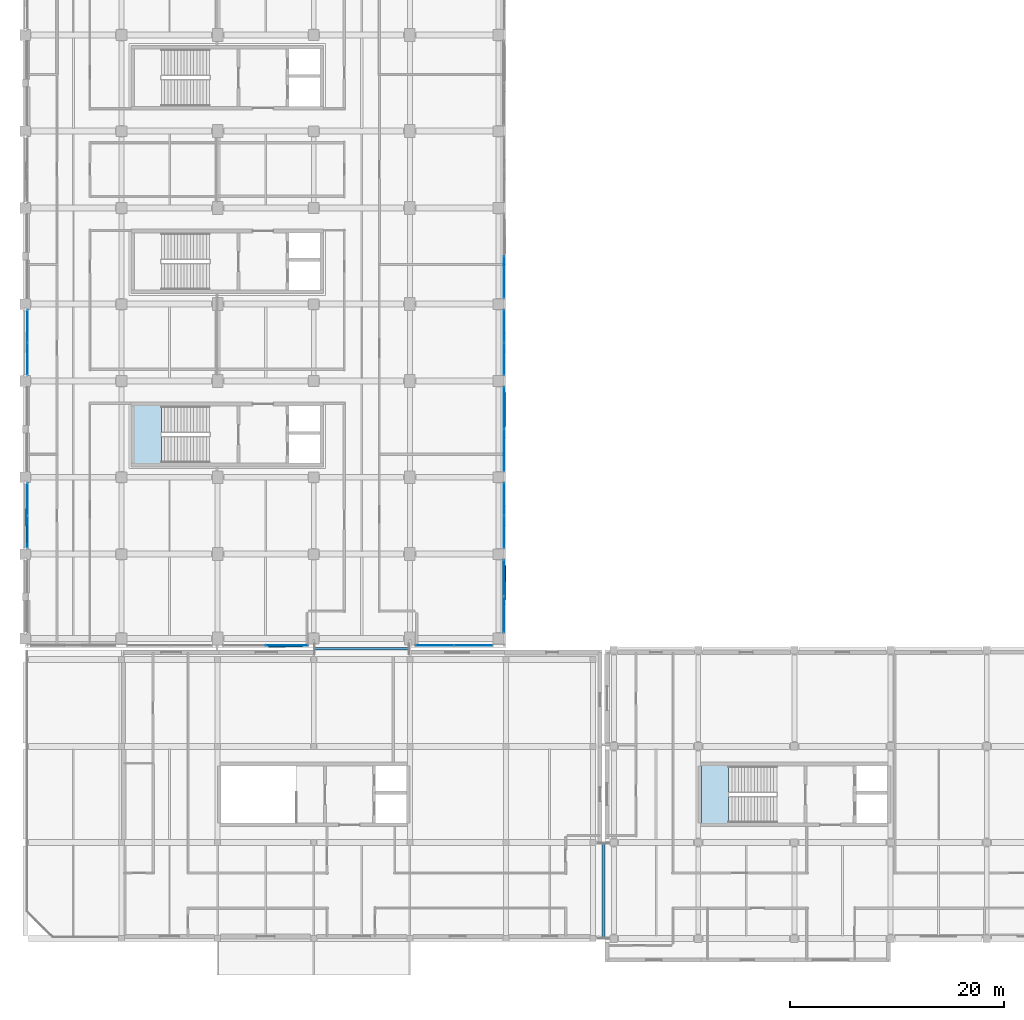
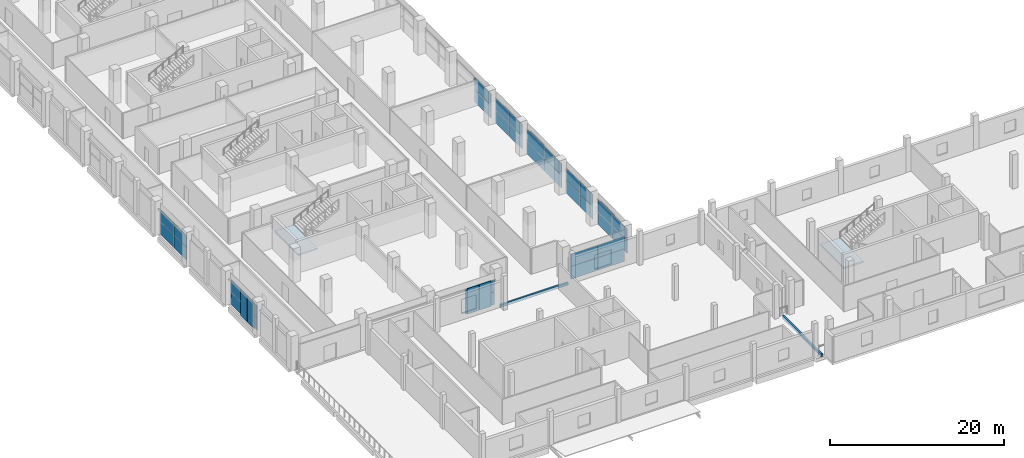
# One storey, part 53 of 111: 40 plates, 4 slabs, 11 elements without a shape of their own.
"""IFC4 building model written with IfcOpenShell, lengths in metres."""

from ifc_helpers import new_model, si_unit, direction, frame, origin, origin_2d, place, context, subcontext, project, spatial, polyline, rectangle, outline, extrude, material, layer, layer_set, type_object, element, aggregate, save


model = new_model("IFC4")

# Units and contexts
model_context = context("Model", 3, precision=1e-05, world=origin(), true_north=direction((0.0, 1.0)))
body_context = subcontext(model_context, "Body", "Model", "MODEL_VIEW")
ifc_project = project(units=[si_unit("LENGTHUNIT", "METRE"), si_unit("AREAUNIT", "SQUARE_METRE"), si_unit("VOLUMEUNIT", "CUBIC_METRE"), si_unit("PLANEANGLEUNIT", "RADIAN"), si_unit("MASSUNIT", "GRAM", prefix="KILO"), si_unit("THERMODYNAMICTEMPERATUREUNIT", "KELVIN"), si_unit("POWERUNIT", "WATT")], contexts=[model_context])

# Site, building, storey
site_placement = place(None, origin())
site = spatial("IfcSite", under=ifc_project, at=site_placement, CompositionType="ELEMENT")
building_placement = place(site_placement, origin())
building = spatial("IfcBuilding", under=site, at=building_placement, Name="Sindhuravela Promenade Stadium", CompositionType="ELEMENT")
storey_placement = place(building_placement, frame((0.0, 0.0, 9.60009765625)))
storey = spatial("IfcBuildingStorey", under=building, at=storey_placement, Name="L02", CompositionType="ELEMENT", Elevation=9.60009765625)

# Plates
ifc_material_1 = material(Name="Perforated terracotta celosia brick (15 MPa)", Category="masonry")
ifc_layer_1 = layer(ifc_material_1, 0.090087890625)
ifc_layer_set_1 = layer_set([ifc_layer_1], Name="Perforated terracotta celosia brick (15 MPa)")
plate_type_1 = type_object("IfcPlateType", Name="CL-SCR-01", PredefinedType="USERDEFINED", material=ifc_layer_set_1)
plate_1_placement = place(storey_placement, frame((44.8798828125, 41.544921875, -0.000244140625), z_axis=(0.0, 0.0, 1.0), x_axis=(0.0, -1.0, 0.0)))
element("IfcPlate", 1, at=plate_1_placement, inside=storey, type_object=plate_type_1, Name="Perforated brick celosia screen WEST L02-24", ObjectType="SCREEN PANEL", PredefinedType="USERDEFINED", context=body_context, shape_type="SweptSolid", body=[
    extrude(rectangle(XDim=1.56005859375, YDim=0.090087890625, at=origin_2d()), origin(), (0.0, 0.0, 1.0), 3.580078125),
])
ifc_layer_2 = layer(ifc_material_1, 0.114990234375)
ifc_layer_set_2 = layer_set([ifc_layer_2], Name="Perforated terracotta celosia brick (15 MPa)")
plate_type_2 = type_object("IfcPlateType", Name="CL-SCR-02", PredefinedType="USERDEFINED", material=ifc_layer_set_2)
for number, where, z_axis, x_axis, name in (
    (2, (0.1201171875, 46.85498046875, -0.000244140625), (0.0, 0.0, 1.0), (0.0, 1.0, 0.0), "Perforated brick celosia screen WEST L02-5"),
    (3, (44.8798828125, 59.344970703125, -0.000244140625), (0.0, 0.0, 1.0), (0.0, -1.0, 0.0), "Perforated brick celosia screen WEST L02-21"),
    (4, (25.14501953125, 36.3701171875, -0.000244140625), (0.0, 0.0, 1.0), (-1.0, 0.0, 0.0), "Perforated brick celosia screen WEST L02-25"),
):
    element("IfcPlate", number, at=place(storey_placement, frame(where, z_axis=z_axis, x_axis=x_axis)), inside=storey, type_object=plate_type_2, Name=name, ObjectType="SCREEN PANEL", PredefinedType="USERDEFINED", context=body_context, shape_type="SweptSolid", body=[
        extrude(rectangle(XDim=1.56005859375, YDim=0.114990234375, at=origin_2d()), origin(), (0.0, 0.0, 1.0), 3.580078125),
    ])
ifc_layer_3 = layer(ifc_material_1, 0.139892578125)
ifc_layer_set_3 = layer_set([ifc_layer_3], Name="Perforated terracotta celosia brick (15 MPa)")
plate_type_3 = type_object("IfcPlateType", Name="CL-SCR-03", PredefinedType="USERDEFINED", material=ifc_layer_set_3)
for number, where, z_axis, x_axis, name in (
    (5, (0.1201171875, 48.455078125, -0.000244140625), (0.0, 0.0, 1.0), (0.0, 1.0, 0.0), "Perforated brick celosia screen WEST L02-6"),
    (6, (44.8798828125, 57.7451171875, -0.000244140625), (0.0, 0.0, 1.0), (0.0, -1.0, 0.0), "Perforated brick celosia screen WEST L02-22"),
    (7, (23.544921875, 36.3701171875, -0.000244140625), (0.0, 0.0, 1.0), (-1.0, 0.0, 0.0), "Perforated brick celosia screen WEST L02-26"),
):
    element("IfcPlate", number, at=place(storey_placement, frame(where, z_axis=z_axis, x_axis=x_axis)), inside=storey, type_object=plate_type_3, Name=name, ObjectType="SCREEN PANEL", PredefinedType="USERDEFINED", context=body_context, shape_type="SweptSolid", body=[
        extrude(rectangle(XDim=1.56005859375, YDim=0.139892578125, at=origin_2d()), origin(), (0.0, 0.0, 1.0), 3.580078125),
    ])
ifc_layer_4 = layer(ifc_material_1, 0.1650390625)
ifc_layer_set_4 = layer_set([ifc_layer_4], Name="Perforated terracotta celosia brick (15 MPa)")
plate_type_4 = type_object("IfcPlateType", Name="CL-SCR-04", PredefinedType="USERDEFINED", material=ifc_layer_set_4)
plate_2_placement = place(storey_placement, frame((44.8798828125, 43.14501953125, -0.000244140625), z_axis=(0.0, 0.0, 1.0), x_axis=(0.0, -1.0, 0.0)))
element("IfcPlate", 8, at=plate_2_placement, inside=storey, type_object=plate_type_4, Name="Perforated brick celosia screen WEST L02-23", ObjectType="SCREEN PANEL", PredefinedType="USERDEFINED", context=body_context, shape_type="SweptSolid", body=[
    extrude(rectangle(XDim=1.56005859375, YDim=0.1650390625, at=origin_2d()), origin(), (0.0, 0.0, 1.0), 3.580078125),
])

# Curtain wall, plates
ifc_material_2 = material(Name="Anodised architectural aluminium 6063-T6", Category="aluminium")
curtain_wall_type_1 = type_object("IfcCurtainWallType", Name="CW-MOD-7", PredefinedType="NOTDEFINED", material=ifc_material_2)
curtain_wall_1_placement = place(storey_placement, origin())
curtain_wall_1 = element("IfcCurtainWall", 9, at=curtain_wall_1_placement, inside=storey, type_object=curtain_wall_type_1, Name="Bronze curtain wall CW-WEST-L02-006", PredefinedType="NOTDEFINED")
ifc_material_3 = material(Name="Tempered laminated low-E glass", Category="glass")
ifc_layer_5 = layer(ifc_material_3, 0.028076171875)
ifc_layer_set_5 = layer_set([ifc_layer_5], Name="Tempered laminated low-E glass")
plate_type_5 = type_object("IfcPlateType", Name="CW-PNL-01", PredefinedType="CURTAIN_PANEL", material=ifc_layer_set_5)
plate_3_placement = place(storey_placement, frame((0.199951171875, 47.074951171875, 0.01513671875), z_axis=(0.0, 0.0, 1.0), x_axis=(0.0, 1.0, 0.0)))
plate_3 = element("IfcPlate", 10, at=plate_3_placement, type_object=plate_type_5, Name="Glazed curtain panel CW-WEST-L02-006-P1.1", PredefinedType="CURTAIN_PANEL", context=body_context, shape_type="SweptSolid", body=[
    extrude(rectangle(XDim=2.989990234375, YDim=0.028076171875, at=origin_2d()), origin(), (0.0, 0.0, 1.0), 1.760009765625),
])
plate_4_placement = place(storey_placement, frame((0.199951171875, 47.074951171875, 1.80517578125), z_axis=(0.0, 0.0, 1.0), x_axis=(0.0, 1.0, 0.0)))
plate_4 = element("IfcPlate", 11, at=plate_4_placement, type_object=plate_type_5, Name="Glazed curtain panel CW-WEST-L02-006-P1.2", PredefinedType="CURTAIN_PANEL", context=body_context, shape_type="SweptSolid", body=[
    extrude(rectangle(XDim=2.989990234375, YDim=0.028076171875, at=origin_2d()), origin(), (0.0, 0.0, 1.0), 1.679931640625),
])
plate_5_placement = place(storey_placement, frame((0.199951171875, 50.125, 0.01513671875), z_axis=(0.0, 0.0, 1.0), x_axis=(0.0, 1.0, 0.0)))
plate_5 = element("IfcPlate", 12, at=plate_5_placement, type_object=plate_type_5, Name="Glazed curtain panel CW-WEST-L02-006-P2.1", PredefinedType="CURTAIN_PANEL", context=body_context, shape_type="SweptSolid", body=[
    extrude(rectangle(XDim=2.989990234375, YDim=0.028076171875, at=origin_2d()), origin(), (0.0, 0.0, 1.0), 1.760009765625),
])
plate_6_placement = place(storey_placement, frame((0.199951171875, 50.125, 1.80517578125), z_axis=(0.0, 0.0, 1.0), x_axis=(0.0, 1.0, 0.0)))
plate_6 = element("IfcPlate", 13, at=plate_6_placement, type_object=plate_type_5, Name="Glazed curtain panel CW-WEST-L02-006-P2.2", PredefinedType="CURTAIN_PANEL", context=body_context, shape_type="SweptSolid", body=[
    extrude(rectangle(XDim=2.989990234375, YDim=0.028076171875, at=origin_2d()), origin(), (0.0, 0.0, 1.0), 1.679931640625),
])
aggregate(curtain_wall_1, [plate_3, plate_4, plate_5, plate_6])

curtain_wall_type_2 = type_object("IfcCurtainWallType", Name="CW-MOD-5", PredefinedType="NOTDEFINED", material=ifc_material_2)
curtain_wall_2_placement = place(storey_placement, origin())
curtain_wall_2 = element("IfcCurtainWall", 14, at=curtain_wall_2_placement, inside=storey, type_object=curtain_wall_type_2, Name="Bronze curtain wall CW-WEST-L02-020", PredefinedType="NOTDEFINED")
plate_7_placement = place(storey_placement, frame((44.800048828125, 70.925048828125, 0.01513671875), z_axis=(0.0, 0.0, 1.0), x_axis=(0.0, -1.0, 0.0)))
plate_7 = element("IfcPlate", 15, at=plate_7_placement, type_object=plate_type_5, Name="Glazed curtain panel CW-WEST-L02-020-P2.1", PredefinedType="CURTAIN_PANEL", context=body_context, shape_type="SweptSolid", body=[
    extrude(rectangle(XDim=3.889892578125, YDim=0.028076171875, at=origin_2d()), origin(), (0.0, 0.0, 1.0), 1.760009765625),
])
plate_8_placement = place(storey_placement, frame((44.800048828125, 70.925048828125, 1.80517578125), z_axis=(0.0, 0.0, 1.0), x_axis=(0.0, -1.0, 0.0)))
plate_8 = element("IfcPlate", 16, at=plate_8_placement, type_object=plate_type_5, Name="Glazed curtain panel CW-WEST-L02-020-P2.2", PredefinedType="CURTAIN_PANEL", context=body_context, shape_type="SweptSolid", body=[
    extrude(rectangle(XDim=3.889892578125, YDim=0.028076171875, at=origin_2d()), origin(), (0.0, 0.0, 1.0), 1.679931640625),
])
aggregate(curtain_wall_2, [plate_7, plate_8])

curtain_wall_3_placement = place(storey_placement, origin())
curtain_wall_3 = element("IfcCurtainWall", 17, at=curtain_wall_3_placement, inside=storey, type_object=curtain_wall_type_1, Name="Bronze curtain wall CW-WEST-L02-022", PredefinedType="NOTDEFINED")
plate_9_placement = place(storey_placement, frame((44.800048828125, 58.675048828125, 0.01513671875), z_axis=(0.0, 0.0, 1.0), x_axis=(0.0, -1.0, 0.0)))
plate_9 = element("IfcPlate", 18, at=plate_9_placement, type_object=plate_type_5, Name="Glazed curtain panel CW-WEST-L02-022-P1.1", PredefinedType="CURTAIN_PANEL", context=body_context, shape_type="SweptSolid", body=[
    extrude(rectangle(XDim=3.889892578125, YDim=0.028076171875, at=origin_2d()), origin(), (0.0, 0.0, 1.0), 1.760009765625),
])
plate_10_placement = place(storey_placement, frame((44.800048828125, 58.675048828125, 1.80517578125), z_axis=(0.0, 0.0, 1.0), x_axis=(0.0, -1.0, 0.0)))
plate_10 = element("IfcPlate", 19, at=plate_10_placement, type_object=plate_type_5, Name="Glazed curtain panel CW-WEST-L02-022-P1.2", PredefinedType="CURTAIN_PANEL", context=body_context, shape_type="SweptSolid", body=[
    extrude(rectangle(XDim=3.889892578125, YDim=0.028076171875, at=origin_2d()), origin(), (0.0, 0.0, 1.0), 1.679931640625),
])
plate_11_placement = place(storey_placement, frame((44.800048828125, 54.72509765625, 0.01513671875), z_axis=(0.0, 0.0, 1.0), x_axis=(0.0, -1.0, 0.0)))
plate_11 = element("IfcPlate", 20, at=plate_11_placement, type_object=plate_type_5, Name="Glazed curtain panel CW-WEST-L02-022-P2.1", PredefinedType="CURTAIN_PANEL", context=body_context, shape_type="SweptSolid", body=[
    extrude(rectangle(XDim=3.889892578125, YDim=0.028076171875, at=origin_2d()), origin(), (0.0, 0.0, 1.0), 1.760009765625),
])
plate_12_placement = place(storey_placement, frame((44.800048828125, 54.72509765625, 1.80517578125), z_axis=(0.0, 0.0, 1.0), x_axis=(0.0, -1.0, 0.0)))
plate_12 = element("IfcPlate", 21, at=plate_12_placement, type_object=plate_type_5, Name="Glazed curtain panel CW-WEST-L02-022-P2.2", PredefinedType="CURTAIN_PANEL", context=body_context, shape_type="SweptSolid", body=[
    extrude(rectangle(XDim=3.889892578125, YDim=0.028076171875, at=origin_2d()), origin(), (0.0, 0.0, 1.0), 1.679931640625),
])
aggregate(curtain_wall_3, [plate_9, plate_10, plate_11, plate_12])

curtain_wall_type_3 = type_object("IfcCurtainWallType", Name="CW-MOD-1", PredefinedType="NOTDEFINED", material=ifc_material_2)
curtain_wall_4_placement = place(storey_placement, origin())
curtain_wall_4 = element("IfcCurtainWall", 22, at=curtain_wall_4_placement, inside=storey, type_object=curtain_wall_type_3, Name="Bronze curtain wall CW-WEST-L02-024", PredefinedType="NOTDEFINED")
plate_13_placement = place(storey_placement, frame((44.800048828125, 42.75, 0.01513671875), z_axis=(0.0, 0.0, 1.0), x_axis=(0.0, -1.0, 0.0)))
plate_13 = element("IfcPlate", 23, at=plate_13_placement, type_object=plate_type_5, Name="Glazed curtain panel CW-WEST-L02-024-P1.1", PredefinedType="CURTAIN_PANEL", context=body_context, shape_type="SweptSolid", body=[
    extrude(rectangle(XDim=3.340087890625, YDim=0.028076171875, at=origin_2d()), origin(), (0.0, 0.0, 1.0), 1.760009765625),
])
plate_14_placement = place(storey_placement, frame((44.800048828125, 42.75, 1.80517578125), z_axis=(0.0, 0.0, 1.0), x_axis=(0.0, -1.0, 0.0)))
plate_14 = element("IfcPlate", 24, at=plate_14_placement, type_object=plate_type_5, Name="Glazed curtain panel CW-WEST-L02-024-P1.2", PredefinedType="CURTAIN_PANEL", context=body_context, shape_type="SweptSolid", body=[
    extrude(rectangle(XDim=3.340087890625, YDim=0.028076171875, at=origin_2d()), origin(), (0.0, 0.0, 1.0), 1.679931640625),
])
plate_15_placement = place(storey_placement, frame((44.800048828125, 39.35009765625, 0.01513671875), z_axis=(0.0, 0.0, 1.0), x_axis=(0.0, -1.0, 0.0)))
plate_15 = element("IfcPlate", 25, at=plate_15_placement, type_object=plate_type_5, Name="Glazed curtain panel CW-WEST-L02-024-P2.1", PredefinedType="CURTAIN_PANEL", context=body_context, shape_type="SweptSolid", body=[
    extrude(rectangle(XDim=3.340087890625, YDim=0.028076171875, at=origin_2d()), origin(), (0.0, 0.0, 1.0), 1.760009765625),
])
plate_16_placement = place(storey_placement, frame((44.800048828125, 39.35009765625, 1.80517578125), z_axis=(0.0, 0.0, 1.0), x_axis=(0.0, -1.0, 0.0)))
plate_16 = element("IfcPlate", 26, at=plate_16_placement, type_object=plate_type_5, Name="Glazed curtain panel CW-WEST-L02-024-P2.2", PredefinedType="CURTAIN_PANEL", context=body_context, shape_type="SweptSolid", body=[
    extrude(rectangle(XDim=3.340087890625, YDim=0.028076171875, at=origin_2d()), origin(), (0.0, 0.0, 1.0), 1.679931640625),
])
aggregate(curtain_wall_4, [plate_13, plate_14, plate_15, plate_16])

curtain_wall_type_4 = type_object("IfcCurtainWallType", Name="CW-MOD-3", PredefinedType="NOTDEFINED", material=ifc_material_2)
curtain_wall_5_placement = place(storey_placement, origin())
curtain_wall_5 = element("IfcCurtainWall", 27, at=curtain_wall_5_placement, inside=storey, type_object=curtain_wall_type_4, Name="Bronze curtain wall CW-WEST-L02-026", PredefinedType="NOTDEFINED")
plate_17_placement = place(storey_placement, frame((24.47509765625, 36.449951171875, 0.01513671875), z_axis=(0.0, 0.0, 1.0), x_axis=(-1.0, 0.0, 0.0)))
plate_17 = element("IfcPlate", 28, at=plate_17_placement, type_object=plate_type_5, Name="Glazed curtain panel CW-WEST-L02-026-P1.1", PredefinedType="CURTAIN_PANEL", context=body_context, shape_type="SweptSolid", body=[
    extrude(rectangle(XDim=3.889892578125, YDim=0.028076171875, at=origin_2d()), origin(), (0.0, 0.0, 1.0), 1.760009765625),
])
plate_18_placement = place(storey_placement, frame((24.47509765625, 36.449951171875, 1.80517578125), z_axis=(0.0, 0.0, 1.0), x_axis=(-1.0, 0.0, 0.0)))
plate_18 = element("IfcPlate", 29, at=plate_18_placement, type_object=plate_type_5, Name="Glazed curtain panel CW-WEST-L02-026-P1.2", PredefinedType="CURTAIN_PANEL", context=body_context, shape_type="SweptSolid", body=[
    extrude(rectangle(XDim=3.889892578125, YDim=0.028076171875, at=origin_2d()), origin(), (0.0, 0.0, 1.0), 1.679931640625),
])
aggregate(curtain_wall_5, [plate_17, plate_18])

curtain_wall_type_5 = type_object("IfcCurtainWallType", Name="CW-MOD-8", PredefinedType="NOTDEFINED", material=ifc_material_2)
curtain_wall_6_placement = place(storey_placement, origin())
curtain_wall_6 = element("IfcCurtainWall", 30, at=curtain_wall_6_placement, inside=storey, type_object=curtain_wall_type_5, Name="Bronze curtain wall CW-WEST-L02-007", PredefinedType="NOTDEFINED")
ifc_layer_6 = layer(ifc_material_3, 0.0400390625)
ifc_layer_set_6 = layer_set([ifc_layer_6], Name="Tempered laminated low-E glass")
plate_type_6 = type_object("IfcPlateType", Name="CW-PNL-02", PredefinedType="CURTAIN_PANEL", material=ifc_layer_set_6)
plate_19_placement = place(storey_placement, frame((0.199951171875, 63.27490234375, 0.01513671875), z_axis=(0.0, 0.0, 1.0), x_axis=(0.0, 1.0, 0.0)))
plate_19 = element("IfcPlate", 31, at=plate_19_placement, type_object=plate_type_6, Name="Glazed curtain panel CW-WEST-L02-007-P1.1", PredefinedType="CURTAIN_PANEL", context=body_context, shape_type="SweptSolid", body=[
    extrude(rectangle(XDim=2.989990234375, YDim=0.0400390625, at=origin_2d()), origin(), (0.0, 0.0, 1.0), 1.760009765625),
])
plate_20_placement = place(storey_placement, frame((0.199951171875, 63.27490234375, 1.80517578125), z_axis=(0.0, 0.0, 1.0), x_axis=(0.0, 1.0, 0.0)))
plate_20 = element("IfcPlate", 32, at=plate_20_placement, type_object=plate_type_6, Name="Glazed curtain panel CW-WEST-L02-007-P1.2", PredefinedType="CURTAIN_PANEL", context=body_context, shape_type="SweptSolid", body=[
    extrude(rectangle(XDim=2.989990234375, YDim=0.0400390625, at=origin_2d()), origin(), (0.0, 0.0, 1.0), 1.679931640625),
])
plate_21_placement = place(storey_placement, frame((0.199951171875, 66.324951171875, 0.01513671875), z_axis=(0.0, 0.0, 1.0), x_axis=(0.0, 1.0, 0.0)))
plate_21 = element("IfcPlate", 33, at=plate_21_placement, type_object=plate_type_6, Name="Glazed curtain panel CW-WEST-L02-007-P2.1", PredefinedType="CURTAIN_PANEL", context=body_context, shape_type="SweptSolid", body=[
    extrude(rectangle(XDim=2.989990234375, YDim=0.0400390625, at=origin_2d()), origin(), (0.0, 0.0, 1.0), 1.760009765625),
])
plate_22_placement = place(storey_placement, frame((0.199951171875, 66.324951171875, 1.80517578125), z_axis=(0.0, 0.0, 1.0), x_axis=(0.0, 1.0, 0.0)))
plate_22 = element("IfcPlate", 34, at=plate_22_placement, type_object=plate_type_6, Name="Glazed curtain panel CW-WEST-L02-007-P2.2", PredefinedType="CURTAIN_PANEL", context=body_context, shape_type="SweptSolid", body=[
    extrude(rectangle(XDim=2.989990234375, YDim=0.0400390625, at=origin_2d()), origin(), (0.0, 0.0, 1.0), 1.679931640625),
])
aggregate(curtain_wall_6, [plate_19, plate_20, plate_21, plate_22])

curtain_wall_type_6 = type_object("IfcCurtainWallType", Name="CW-MOD-6", PredefinedType="NOTDEFINED", material=ifc_material_2)
curtain_wall_7_placement = place(storey_placement, origin())
curtain_wall_7 = element("IfcCurtainWall", 35, at=curtain_wall_7_placement, inside=storey, type_object=curtain_wall_type_6, Name="Bronze curtain wall CW-WEST-L02-021", PredefinedType="NOTDEFINED")
plate_23_placement = place(storey_placement, frame((44.800048828125, 66.324951171875, 0.01513671875), z_axis=(0.0, 0.0, 1.0), x_axis=(0.0, -1.0, 0.0)))
plate_23 = element("IfcPlate", 36, at=plate_23_placement, type_object=plate_type_6, Name="Glazed curtain panel CW-WEST-L02-021-P1.1", PredefinedType="CURTAIN_PANEL", context=body_context, shape_type="SweptSolid", body=[
    extrude(rectangle(XDim=2.989990234375, YDim=0.0400390625, at=origin_2d()), origin(), (0.0, 0.0, 1.0), 1.760009765625),
])
plate_24_placement = place(storey_placement, frame((44.800048828125, 66.324951171875, 1.80517578125), z_axis=(0.0, 0.0, 1.0), x_axis=(0.0, -1.0, 0.0)))
plate_24 = element("IfcPlate", 37, at=plate_24_placement, type_object=plate_type_6, Name="Glazed curtain panel CW-WEST-L02-021-P1.2", PredefinedType="CURTAIN_PANEL", context=body_context, shape_type="SweptSolid", body=[
    extrude(rectangle(XDim=2.989990234375, YDim=0.0400390625, at=origin_2d()), origin(), (0.0, 0.0, 1.0), 1.679931640625),
])
plate_25_placement = place(storey_placement, frame((44.800048828125, 63.27490234375, 0.01513671875), z_axis=(0.0, 0.0, 1.0), x_axis=(0.0, -1.0, 0.0)))
plate_25 = element("IfcPlate", 38, at=plate_25_placement, type_object=plate_type_6, Name="Glazed curtain panel CW-WEST-L02-021-P2.1", PredefinedType="CURTAIN_PANEL", context=body_context, shape_type="SweptSolid", body=[
    extrude(rectangle(XDim=2.989990234375, YDim=0.0400390625, at=origin_2d()), origin(), (0.0, 0.0, 1.0), 1.760009765625),
])
plate_26_placement = place(storey_placement, frame((44.800048828125, 63.27490234375, 1.80517578125), z_axis=(0.0, 0.0, 1.0), x_axis=(0.0, -1.0, 0.0)))
plate_26 = element("IfcPlate", 39, at=plate_26_placement, type_object=plate_type_6, Name="Glazed curtain panel CW-WEST-L02-021-P2.2", PredefinedType="CURTAIN_PANEL", context=body_context, shape_type="SweptSolid", body=[
    extrude(rectangle(XDim=2.989990234375, YDim=0.0400390625, at=origin_2d()), origin(), (0.0, 0.0, 1.0), 1.679931640625),
])
aggregate(curtain_wall_7, [plate_23, plate_24, plate_25, plate_26])

curtain_wall_8_placement = place(storey_placement, origin())
curtain_wall_8 = element("IfcCurtainWall", 40, at=curtain_wall_8_placement, inside=storey, type_object=curtain_wall_type_5, Name="Bronze curtain wall CW-WEST-L02-023", PredefinedType="NOTDEFINED")
plate_27_placement = place(storey_placement, frame((44.800048828125, 50.125, 0.01513671875), z_axis=(0.0, 0.0, 1.0), x_axis=(0.0, -1.0, 0.0)))
plate_27 = element("IfcPlate", 41, at=plate_27_placement, type_object=plate_type_6, Name="Glazed curtain panel CW-WEST-L02-023-P1.1", PredefinedType="CURTAIN_PANEL", context=body_context, shape_type="SweptSolid", body=[
    extrude(rectangle(XDim=2.989990234375, YDim=0.0400390625, at=origin_2d()), origin(), (0.0, 0.0, 1.0), 1.760009765625),
])
plate_28_placement = place(storey_placement, frame((44.800048828125, 50.125, 1.80517578125), z_axis=(0.0, 0.0, 1.0), x_axis=(0.0, -1.0, 0.0)))
plate_28 = element("IfcPlate", 42, at=plate_28_placement, type_object=plate_type_6, Name="Glazed curtain panel CW-WEST-L02-023-P1.2", PredefinedType="CURTAIN_PANEL", context=body_context, shape_type="SweptSolid", body=[
    extrude(rectangle(XDim=2.989990234375, YDim=0.0400390625, at=origin_2d()), origin(), (0.0, 0.0, 1.0), 1.679931640625),
])
plate_29_placement = place(storey_placement, frame((44.800048828125, 47.074951171875, 0.01513671875), z_axis=(0.0, 0.0, 1.0), x_axis=(0.0, -1.0, 0.0)))
plate_29 = element("IfcPlate", 43, at=plate_29_placement, type_object=plate_type_6, Name="Glazed curtain panel CW-WEST-L02-023-P2.1", PredefinedType="CURTAIN_PANEL", context=body_context, shape_type="SweptSolid", body=[
    extrude(rectangle(XDim=2.989990234375, YDim=0.0400390625, at=origin_2d()), origin(), (0.0, 0.0, 1.0), 1.760009765625),
])
plate_30_placement = place(storey_placement, frame((44.800048828125, 47.074951171875, 1.80517578125), z_axis=(0.0, 0.0, 1.0), x_axis=(0.0, -1.0, 0.0)))
plate_30 = element("IfcPlate", 44, at=plate_30_placement, type_object=plate_type_6, Name="Glazed curtain panel CW-WEST-L02-023-P2.2", PredefinedType="CURTAIN_PANEL", context=body_context, shape_type="SweptSolid", body=[
    extrude(rectangle(XDim=2.989990234375, YDim=0.0400390625, at=origin_2d()), origin(), (0.0, 0.0, 1.0), 1.679931640625),
])
aggregate(curtain_wall_8, [plate_27, plate_28, plate_29, plate_30])

curtain_wall_type_7 = type_object("IfcCurtainWallType", Name="CW-MOD-2", PredefinedType="NOTDEFINED", material=ifc_material_2)
curtain_wall_9_placement = place(storey_placement, origin())
curtain_wall_9 = element("IfcCurtainWall", 45, at=curtain_wall_9_placement, inside=storey, type_object=curtain_wall_type_7, Name="Bronze curtain wall CW-WEST-L02-025", PredefinedType="NOTDEFINED")
plate_31_placement = place(storey_placement, frame((41.949951171875, 36.449951171875, 0.01513671875), z_axis=(0.0, 0.0, 1.0), x_axis=(-1.0, 0.0, 0.0)))
plate_31 = element("IfcPlate", 46, at=plate_31_placement, type_object=plate_type_6, Name="Glazed curtain panel CW-WEST-L02-025-P1.1", PredefinedType="CURTAIN_PANEL", context=body_context, shape_type="SweptSolid", body=[
    extrude(rectangle(XDim=3.5400390625, YDim=0.0400390625, at=origin_2d()), origin(), (0.0, 0.0, 1.0), 1.760009765625),
])
plate_32_placement = place(storey_placement, frame((41.949951171875, 36.449951171875, 1.80517578125), z_axis=(0.0, 0.0, 1.0), x_axis=(-1.0, 0.0, 0.0)))
plate_32 = element("IfcPlate", 47, at=plate_32_placement, type_object=plate_type_6, Name="Glazed curtain panel CW-WEST-L02-025-P1.2", PredefinedType="CURTAIN_PANEL", context=body_context, shape_type="SweptSolid", body=[
    extrude(rectangle(XDim=3.5400390625, YDim=0.0400390625, at=origin_2d()), origin(), (0.0, 0.0, 1.0), 1.679931640625),
])
plate_33_placement = place(storey_placement, frame((38.35009765625, 36.449951171875, 0.01513671875), z_axis=(0.0, 0.0, 1.0), x_axis=(-1.0, 0.0, 0.0)))
plate_33 = element("IfcPlate", 48, at=plate_33_placement, type_object=plate_type_6, Name="Glazed curtain panel CW-WEST-L02-025-P2.1", PredefinedType="CURTAIN_PANEL", context=body_context, shape_type="SweptSolid", body=[
    extrude(rectangle(XDim=3.5400390625, YDim=0.0400390625, at=origin_2d()), origin(), (0.0, 0.0, 1.0), 1.760009765625),
])
plate_34_placement = place(storey_placement, frame((38.35009765625, 36.449951171875, 1.80517578125), z_axis=(0.0, 0.0, 1.0), x_axis=(-1.0, 0.0, 0.0)))
plate_34 = element("IfcPlate", 49, at=plate_34_placement, type_object=plate_type_6, Name="Glazed curtain panel CW-WEST-L02-025-P2.2", PredefinedType="CURTAIN_PANEL", context=body_context, shape_type="SweptSolid", body=[
    extrude(rectangle(XDim=3.5400390625, YDim=0.0400390625, at=origin_2d()), origin(), (0.0, 0.0, 1.0), 1.679931640625),
])
aggregate(curtain_wall_9, [plate_31, plate_32, plate_33, plate_34])

# Slabs
ifc_material_4 = material(Name="Concrete M50", Category="concrete")
ifc_layer_7 = layer(ifc_material_4, 0.360107421875)
ifc_layer_set_7 = layer_set([ifc_layer_7], Name="Concrete M50")
slab_type_1 = type_object("IfcSlabType", Name="SL-BRG-360", PredefinedType="FLOOR", material=ifc_layer_set_7)
slab_1_placement = place(storey_placement, frame((0.0, 0.0, -0.360107421875)))
element("IfcSlab", 50, at=slab_1_placement, inside=storey, type_object=slab_type_1, Name="Concourse link bridge L02 West-SW", PredefinedType="FLOOR", context=body_context, shape_type="SweptSolid", body=[
    extrude(outline(polyline([(27.0, 36.0), (36.0, 36.0), (36.0, 36.25), (27.0, 36.25), (27.0, 36.0)])), origin(), (0.0, 0.0, 1.0), 0.360107421875),
])
slab_2_placement = place(storey_placement, frame((0.0, 0.0, -0.360107421875)))
element("IfcSlab", 51, at=slab_2_placement, inside=storey, type_object=slab_type_1, Name="Concourse link bridge L02 South-SW", PredefinedType="FLOOR", context=body_context, shape_type="SweptSolid", body=[
    extrude(outline(polyline([(54.0, 9.0), (54.25, 9.0), (54.25, 18.0), (54.0, 18.0), (54.0, 9.0)])), origin(), (0.0, 0.0, 1.0), 0.360107421875),
])

# Stair, slab
ifc_material_5 = material(Name="Concrete M40", Category="concrete")
stair_type = type_object("IfcStairType", Name="ST-CORE-DOGLEG", PredefinedType="HALF_TURN_STAIR", material=ifc_material_5)
stair_1_placement = place(storey_placement, origin())
stair_1 = element("IfcStair", 52, at=stair_1_placement, inside=storey, type_object=stair_type, Name="Protected escape stair ST01 (L02)", PredefinedType="HALF_TURN_STAIR")
ifc_layer_8 = layer(ifc_material_5, 0.219970703125)
ifc_layer_set_8 = layer_set([ifc_layer_8], Name="Concrete M40")
slab_type_2 = type_object("IfcSlabType", Name="SL-LND-220", PredefinedType="LANDING", material=ifc_layer_set_8)
slab_3_placement = place(storey_placement, frame((0.0, 0.0, 2.179931640625)))
slab_3 = element("IfcSlab", 53, at=slab_3_placement, type_object=slab_type_2, Name="Stair ST01 half-landing (L02)", PredefinedType="LANDING", context=body_context, shape_type="SweptSolid", body=[
    extrude(outline(polyline([(10.179931640625, 53.47998046875), (12.751953125, 53.47998046875), (12.751953125, 58.919921875), (10.179931640625, 58.919921875), (10.179931640625, 53.47998046875)])), origin(), (0.0, 0.0, 1.0), 0.219970703125),
])
aggregate(stair_1, [slab_3])

stair_2_placement = place(storey_placement, origin())
stair_2 = element("IfcStair", 54, at=stair_2_placement, inside=storey, type_object=stair_type, Name="Protected escape stair ST11 (L02)", PredefinedType="HALF_TURN_STAIR")
slab_4_placement = place(storey_placement, frame((0.0, 0.0, 2.179931640625)))
slab_4 = element("IfcSlab", 55, at=slab_4_placement, type_object=slab_type_2, Name="Stair ST11 half-landing (L02)", PredefinedType="LANDING", context=body_context, shape_type="SweptSolid", body=[
    extrude(outline(polyline([(63.280029296875, 19.780029296875), (65.85205078125, 19.780029296875), (65.85205078125, 25.219970703125), (63.280029296875, 25.219970703125), (63.280029296875, 19.780029296875)])), origin(), (0.0, 0.0, 1.0), 0.219970703125),
])
aggregate(stair_2, [slab_4])

save(model, "model.ifc")
